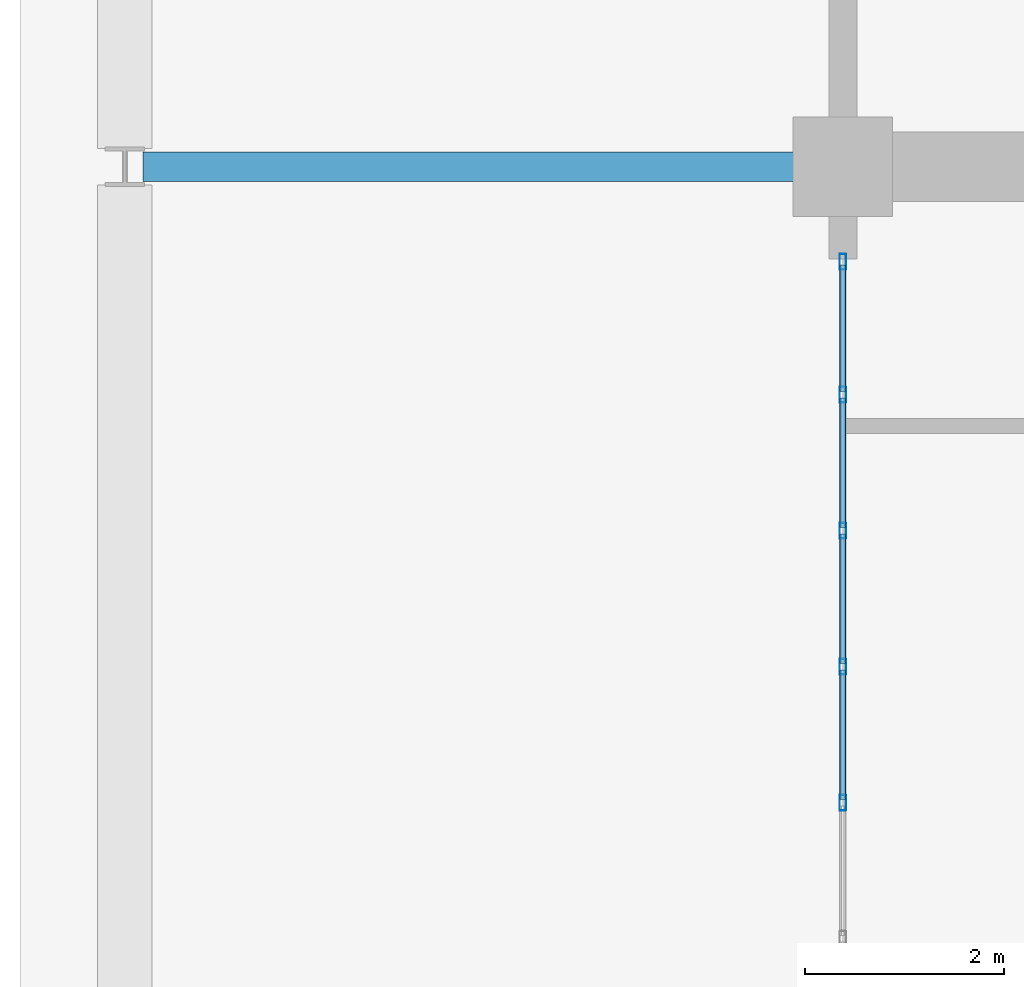
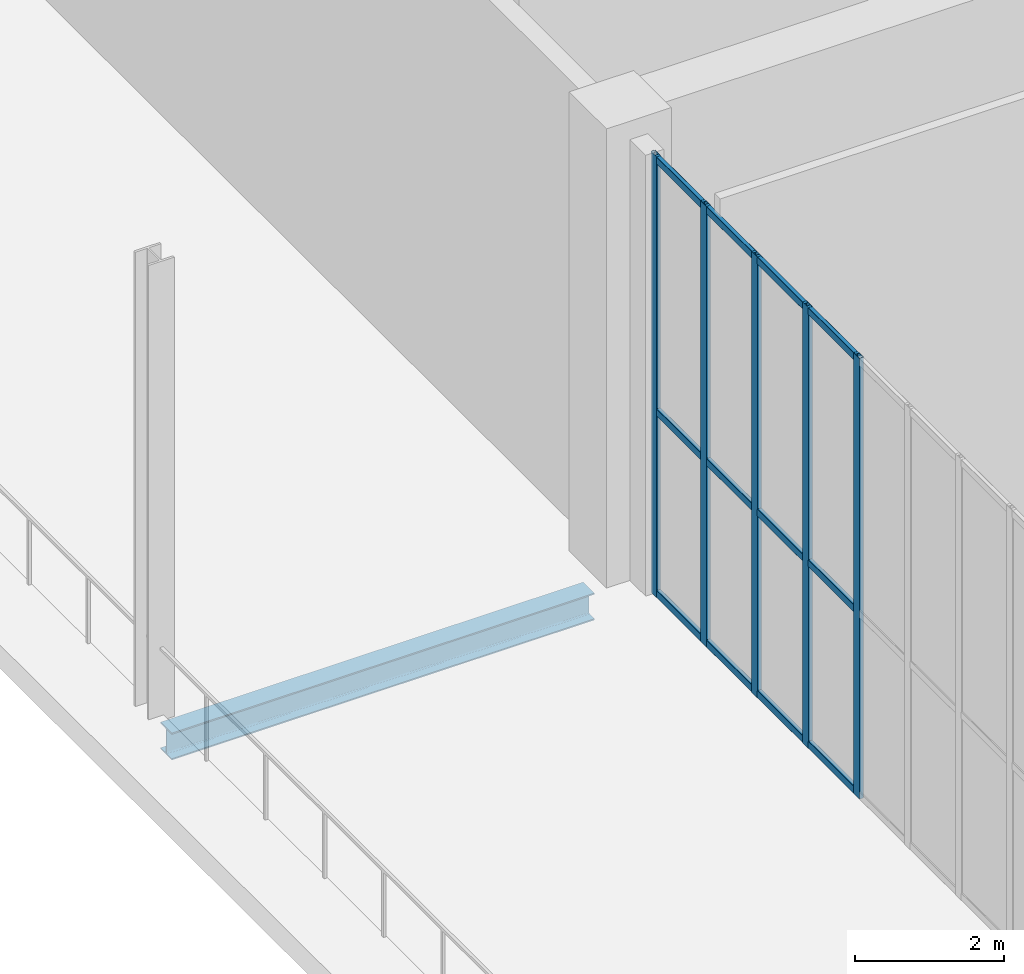
# One storey, part 12 of 23: 17 members, 1 beam, 1 element without a shape of its own.
"""IFC4 building model written with IfcOpenShell, lengths in metres."""

from ifc_helpers import new_model, si_unit, direction, frame, origin, origin_2d, place, context, subcontext, project, spatial, hollow_rectangle, i_section, extrude, material, layer, layer_set, material_profile, profile_set, type_object, element, aggregate, save


model = new_model("IFC4")

# Units and contexts
model_context = context("Model", 3, precision=1e-05, world=origin(), true_north=direction((0.0, 1.0)))
body_context = subcontext(model_context, "Body", "Model", "MODEL_VIEW")
ifc_project = project(units=[si_unit("LENGTHUNIT", "METRE"), si_unit("AREAUNIT", "SQUARE_METRE"), si_unit("VOLUMEUNIT", "CUBIC_METRE"), si_unit("PLANEANGLEUNIT", "RADIAN"), si_unit("MASSUNIT", "GRAM", prefix="KILO")], contexts=[model_context])

# Site, building, storey
site_placement = place(None, origin())
site = spatial("IfcSite", under=ifc_project, at=site_placement, CompositionType="ELEMENT")
building_placement = place(site_placement, origin())
building = spatial("IfcBuilding", under=site, at=building_placement, Name="Kaelvorn Grand Hotel", CompositionType="ELEMENT")
storey_placement = place(building_placement, frame((0.0, 0.0, 310.699951171875)))
storey = spatial("IfcBuildingStorey", under=building, at=storey_placement, Name="L75", CompositionType="ELEMENT", Elevation=310.699951171875)

# Beam
ifc_material_1 = material(Name="Steel S355", Category="steel")
ifc_material_profile_1 = material_profile(ifc_material_1, i_section(OverallWidth=0.300048828125, OverallDepth=0.43994140625, WebThickness=0.011474609375, FlangeThickness=0.02099609375, FilletRadius=0.027099609375, at=origin_2d()), Name="HEA 450")
ifc_profile_set_1 = profile_set([ifc_material_profile_1], Name="Steel S355")
beam_type = type_object("IfcBeamType", Name="BM-G-HEA450-S355", PredefinedType="BEAM", material=ifc_profile_set_1)
beam_placement = place(storey_placement, frame((9.18505859375, 29.39990234375, -0.52001953125), z_axis=(1.0, 0.0, 0.0), x_axis=(0.0, 1.0, 0.0)))
element("IfcBeam", 1, at=beam_placement, inside=storey, type_object=beam_type, Name="L75 West Core Wing Steel Girder G-29W 01", PredefinedType="BEAM", context=body_context, shape_type="SweptSolid", body=[
    extrude(i_section(OverallWidth=0.300048828125, OverallDepth=0.43994140625, WebThickness=0.011474609375, FlangeThickness=0.02099609375, FilletRadius=0.027099609375, at=origin_2d()), origin(), (0.0, 0.0, 1.0), 6.530029296875),
])

# Curtain wall, members
ifc_material_2 = material(Name="Anodised Aluminium", Category="aluminium")
ifc_layer = layer(ifc_material_2, 0.159912109375)
ifc_layer_set = layer_set([ifc_layer], Name="Anodised Aluminium")
curtain_wall_type = type_object("IfcCurtainWallType", Name="CW-SYS6", PredefinedType="NOTDEFINED", material=ifc_layer_set)
curtain_wall_placement = place(storey_placement, origin())
curtain_wall = element("IfcCurtainWall", 2, at=curtain_wall_placement, inside=storey, type_object=curtain_wall_type, Name="L75 Unitised Curtain Wall CW6 (CW-L75-W-01)", PredefinedType="NOTDEFINED")
ifc_material_profile_2 = material_profile(ifc_material_2, hollow_rectangle(XDim=0.06494140625, YDim=0.159912109375, WallThickness=0.00341796875, InnerFilletRadius=0.00341796875, OuterFilletRadius=0.007080078125, at=origin_2d()), Name="ALU MULL 65x160")
ifc_profile_set_2 = profile_set([ifc_material_profile_2], Name="Anodised Aluminium")
member_type_1 = type_object("IfcMemberType", Name="CW-SYS6-MULL", PredefinedType="MULLION", material=ifc_profile_set_2)
member_1_placement = place(storey_placement, frame((16.199951171875, 28.447509765625, 0.0), z_axis=(0.0, 0.0, 1.0), x_axis=(1.0, 0.0, 0.0)))
member_1 = element("IfcMember", 3, at=member_1_placement, type_object=member_type_1, Name="CW6 mullion 1", PredefinedType="MULLION", context=body_context, shape_type="SweptSolid", body=[
    extrude(hollow_rectangle(XDim=0.06494140625, YDim=0.159912109375, WallThickness=0.00341796875, InnerFilletRadius=0.00341796875, OuterFilletRadius=0.007080078125, at=origin_2d()), origin(), (0.0, 0.0, 1.0), 7.199951171875),
])
member_2_placement = place(storey_placement, frame((16.199951171875, 27.115478515625, 0.0), z_axis=(0.0, 0.0, 1.0), x_axis=(1.0, 0.0, 0.0)))
member_2 = element("IfcMember", 4, at=member_2_placement, type_object=member_type_1, Name="CW6 mullion 2", PredefinedType="MULLION", context=body_context, shape_type="SweptSolid", body=[
    extrude(hollow_rectangle(XDim=0.06494140625, YDim=0.159912109375, WallThickness=0.00341796875, InnerFilletRadius=0.00341796875, OuterFilletRadius=0.007080078125, at=origin_2d()), origin(), (0.0, 0.0, 1.0), 7.199951171875),
])
member_3_placement = place(storey_placement, frame((16.199951171875, 25.751220703125, 0.0), z_axis=(0.0, 0.0, 1.0), x_axis=(1.0, 0.0, 0.0)))
member_3 = element("IfcMember", 5, at=member_3_placement, type_object=member_type_1, Name="CW6 mullion 3", PredefinedType="MULLION", context=body_context, shape_type="SweptSolid", body=[
    extrude(hollow_rectangle(XDim=0.06494140625, YDim=0.159912109375, WallThickness=0.00341796875, InnerFilletRadius=0.00341796875, OuterFilletRadius=0.007080078125, at=origin_2d()), origin(), (0.0, 0.0, 1.0), 7.199951171875),
])
member_4_placement = place(storey_placement, frame((16.199951171875, 24.38671875, 0.0), z_axis=(0.0, 0.0, 1.0), x_axis=(1.0, 0.0, 0.0)))
member_4 = element("IfcMember", 6, at=member_4_placement, type_object=member_type_1, Name="CW6 mullion 4", PredefinedType="MULLION", context=body_context, shape_type="SweptSolid", body=[
    extrude(hollow_rectangle(XDim=0.06494140625, YDim=0.159912109375, WallThickness=0.00341796875, InnerFilletRadius=0.00341796875, OuterFilletRadius=0.007080078125, at=origin_2d()), origin(), (0.0, 0.0, 1.0), 7.199951171875),
])
member_5_placement = place(storey_placement, frame((16.199951171875, 23.022216796875, 0.0), z_axis=(0.0, 0.0, 1.0), x_axis=(1.0, 0.0, 0.0)))
member_5 = element("IfcMember", 7, at=member_5_placement, type_object=member_type_1, Name="CW6 mullion 5", PredefinedType="MULLION", context=body_context, shape_type="SweptSolid", body=[
    extrude(hollow_rectangle(XDim=0.06494140625, YDim=0.159912109375, WallThickness=0.00341796875, InnerFilletRadius=0.00341796875, OuterFilletRadius=0.007080078125, at=origin_2d()), origin(), (0.0, 0.0, 1.0), 7.199951171875),
])
ifc_material_profile_3 = material_profile(ifc_material_2, hollow_rectangle(XDim=0.06494140625, YDim=0.1201171875, WallThickness=0.00341796875, InnerFilletRadius=0.00341796875, OuterFilletRadius=0.007080078125, at=origin_2d()), Name="ALU TRAN 65x120")
ifc_profile_set_3 = profile_set([ifc_material_profile_3], Name="Anodised Aluminium")
member_type_2 = type_object("IfcMemberType", Name="CW-SYS6-TRAN", PredefinedType="NOTDEFINED", material=ifc_profile_set_3)
member_6_placement = place(storey_placement, frame((16.199951171875, 28.4150390625, 0.06005859375), z_axis=(0.0, -1.0, 0.0), x_axis=(1.0, 0.0, 0.0)))
member_6 = element("IfcMember", 8, at=member_6_placement, type_object=member_type_2, Name="CW6 transom 1.1", ObjectType="TRANSOM", PredefinedType="USERDEFINED", context=body_context, shape_type="SweptSolid", body=[
    extrude(hollow_rectangle(XDim=0.06494140625, YDim=0.1201171875, WallThickness=0.00341796875, InnerFilletRadius=0.00341796875, OuterFilletRadius=0.007080078125, at=origin_2d()), origin(), (0.0, 0.0, 1.0), 1.26708984375),
])
member_7_placement = place(storey_placement, frame((16.199951171875, 28.4150390625, 3.024169921875), z_axis=(0.0, -1.0, 0.0), x_axis=(1.0, 0.0, 0.0)))
member_7 = element("IfcMember", 9, at=member_7_placement, type_object=member_type_2, Name="CW6 transom 1.2", ObjectType="TRANSOM", PredefinedType="USERDEFINED", context=body_context, shape_type="SweptSolid", body=[
    extrude(hollow_rectangle(XDim=0.06494140625, YDim=0.1201171875, WallThickness=0.00341796875, InnerFilletRadius=0.00341796875, OuterFilletRadius=0.007080078125, at=origin_2d()), origin(), (0.0, 0.0, 1.0), 1.26708984375),
])
member_8_placement = place(storey_placement, frame((16.199951171875, 28.4150390625, 7.14013671875), z_axis=(0.0, -1.0, 0.0), x_axis=(1.0, 0.0, 0.0)))
member_8 = element("IfcMember", 10, at=member_8_placement, type_object=member_type_2, Name="CW6 transom 1.3", ObjectType="TRANSOM", PredefinedType="USERDEFINED", context=body_context, shape_type="SweptSolid", body=[
    extrude(hollow_rectangle(XDim=0.06494140625, YDim=0.1201171875, WallThickness=0.00341796875, InnerFilletRadius=0.00341796875, OuterFilletRadius=0.007080078125, at=origin_2d()), origin(), (0.0, 0.0, 1.0), 1.26708984375),
])
member_9_placement = place(storey_placement, frame((16.199951171875, 27.0830078125, 0.06005859375), z_axis=(0.0, -1.0, 0.0), x_axis=(1.0, 0.0, 0.0)))
member_9 = element("IfcMember", 11, at=member_9_placement, type_object=member_type_2, Name="CW6 transom 2.1", ObjectType="TRANSOM", PredefinedType="USERDEFINED", context=body_context, shape_type="SweptSolid", body=[
    extrude(hollow_rectangle(XDim=0.06494140625, YDim=0.1201171875, WallThickness=0.00341796875, InnerFilletRadius=0.00341796875, OuterFilletRadius=0.007080078125, at=origin_2d()), origin(), (0.0, 0.0, 1.0), 1.29931640625),
])
member_10_placement = place(storey_placement, frame((16.199951171875, 27.0830078125, 3.024169921875), z_axis=(0.0, -1.0, 0.0), x_axis=(1.0, 0.0, 0.0)))
member_10 = element("IfcMember", 12, at=member_10_placement, type_object=member_type_2, Name="CW6 transom 2.2", ObjectType="TRANSOM", PredefinedType="USERDEFINED", context=body_context, shape_type="SweptSolid", body=[
    extrude(hollow_rectangle(XDim=0.06494140625, YDim=0.1201171875, WallThickness=0.00341796875, InnerFilletRadius=0.00341796875, OuterFilletRadius=0.007080078125, at=origin_2d()), origin(), (0.0, 0.0, 1.0), 1.29931640625),
])
member_11_placement = place(storey_placement, frame((16.199951171875, 27.0830078125, 7.14013671875), z_axis=(0.0, -1.0, 0.0), x_axis=(1.0, 0.0, 0.0)))
member_11 = element("IfcMember", 13, at=member_11_placement, type_object=member_type_2, Name="CW6 transom 2.3", ObjectType="TRANSOM", PredefinedType="USERDEFINED", context=body_context, shape_type="SweptSolid", body=[
    extrude(hollow_rectangle(XDim=0.06494140625, YDim=0.1201171875, WallThickness=0.00341796875, InnerFilletRadius=0.00341796875, OuterFilletRadius=0.007080078125, at=origin_2d()), origin(), (0.0, 0.0, 1.0), 1.29931640625),
])
member_12_placement = place(storey_placement, frame((16.199951171875, 25.718505859375, 0.06005859375), z_axis=(0.0, -1.0, 0.0), x_axis=(1.0, 0.0, 0.0)))
member_12 = element("IfcMember", 14, at=member_12_placement, type_object=member_type_2, Name="CW6 transom 3.1", ObjectType="TRANSOM", PredefinedType="USERDEFINED", context=body_context, shape_type="SweptSolid", body=[
    extrude(hollow_rectangle(XDim=0.06494140625, YDim=0.1201171875, WallThickness=0.00341796875, InnerFilletRadius=0.00341796875, OuterFilletRadius=0.007080078125, at=origin_2d()), origin(), (0.0, 0.0, 1.0), 1.29931640625),
])
member_13_placement = place(storey_placement, frame((16.199951171875, 25.718505859375, 3.024169921875), z_axis=(0.0, -1.0, 0.0), x_axis=(1.0, 0.0, 0.0)))
member_13 = element("IfcMember", 15, at=member_13_placement, type_object=member_type_2, Name="CW6 transom 3.2", ObjectType="TRANSOM", PredefinedType="USERDEFINED", context=body_context, shape_type="SweptSolid", body=[
    extrude(hollow_rectangle(XDim=0.06494140625, YDim=0.1201171875, WallThickness=0.00341796875, InnerFilletRadius=0.00341796875, OuterFilletRadius=0.007080078125, at=origin_2d()), origin(), (0.0, 0.0, 1.0), 1.29931640625),
])
member_14_placement = place(storey_placement, frame((16.199951171875, 25.718505859375, 7.14013671875), z_axis=(0.0, -1.0, 0.0), x_axis=(1.0, 0.0, 0.0)))
member_14 = element("IfcMember", 16, at=member_14_placement, type_object=member_type_2, Name="CW6 transom 3.3", ObjectType="TRANSOM", PredefinedType="USERDEFINED", context=body_context, shape_type="SweptSolid", body=[
    extrude(hollow_rectangle(XDim=0.06494140625, YDim=0.1201171875, WallThickness=0.00341796875, InnerFilletRadius=0.00341796875, OuterFilletRadius=0.007080078125, at=origin_2d()), origin(), (0.0, 0.0, 1.0), 1.29931640625),
])
member_15_placement = place(storey_placement, frame((16.199951171875, 24.354248046875, 0.06005859375), z_axis=(0.0, -1.0, 0.0), x_axis=(1.0, 0.0, 0.0)))
member_15 = element("IfcMember", 17, at=member_15_placement, type_object=member_type_2, Name="CW6 transom 4.1", ObjectType="TRANSOM", PredefinedType="USERDEFINED", context=body_context, shape_type="SweptSolid", body=[
    extrude(hollow_rectangle(XDim=0.06494140625, YDim=0.1201171875, WallThickness=0.00341796875, InnerFilletRadius=0.00341796875, OuterFilletRadius=0.007080078125, at=origin_2d()), origin(), (0.0, 0.0, 1.0), 1.299560546875),
])
member_16_placement = place(storey_placement, frame((16.199951171875, 24.354248046875, 3.024169921875), z_axis=(0.0, -1.0, 0.0), x_axis=(1.0, 0.0, 0.0)))
member_16 = element("IfcMember", 18, at=member_16_placement, type_object=member_type_2, Name="CW6 transom 4.2", ObjectType="TRANSOM", PredefinedType="USERDEFINED", context=body_context, shape_type="SweptSolid", body=[
    extrude(hollow_rectangle(XDim=0.06494140625, YDim=0.1201171875, WallThickness=0.00341796875, InnerFilletRadius=0.00341796875, OuterFilletRadius=0.007080078125, at=origin_2d()), origin(), (0.0, 0.0, 1.0), 1.299560546875),
])
member_17_placement = place(storey_placement, frame((16.199951171875, 24.354248046875, 7.14013671875), z_axis=(0.0, -1.0, 0.0), x_axis=(1.0, 0.0, 0.0)))
member_17 = element("IfcMember", 19, at=member_17_placement, type_object=member_type_2, Name="CW6 transom 4.3", ObjectType="TRANSOM", PredefinedType="USERDEFINED", context=body_context, shape_type="SweptSolid", body=[
    extrude(hollow_rectangle(XDim=0.06494140625, YDim=0.1201171875, WallThickness=0.00341796875, InnerFilletRadius=0.00341796875, OuterFilletRadius=0.007080078125, at=origin_2d()), origin(), (0.0, 0.0, 1.0), 1.299560546875),
])
aggregate(curtain_wall, [member_1, member_2, member_3, member_4, member_5, member_6, member_7, member_8, member_9, member_10, member_11, member_12, member_13, member_14, member_15, member_16, member_17])

save(model, "model.ifc")
